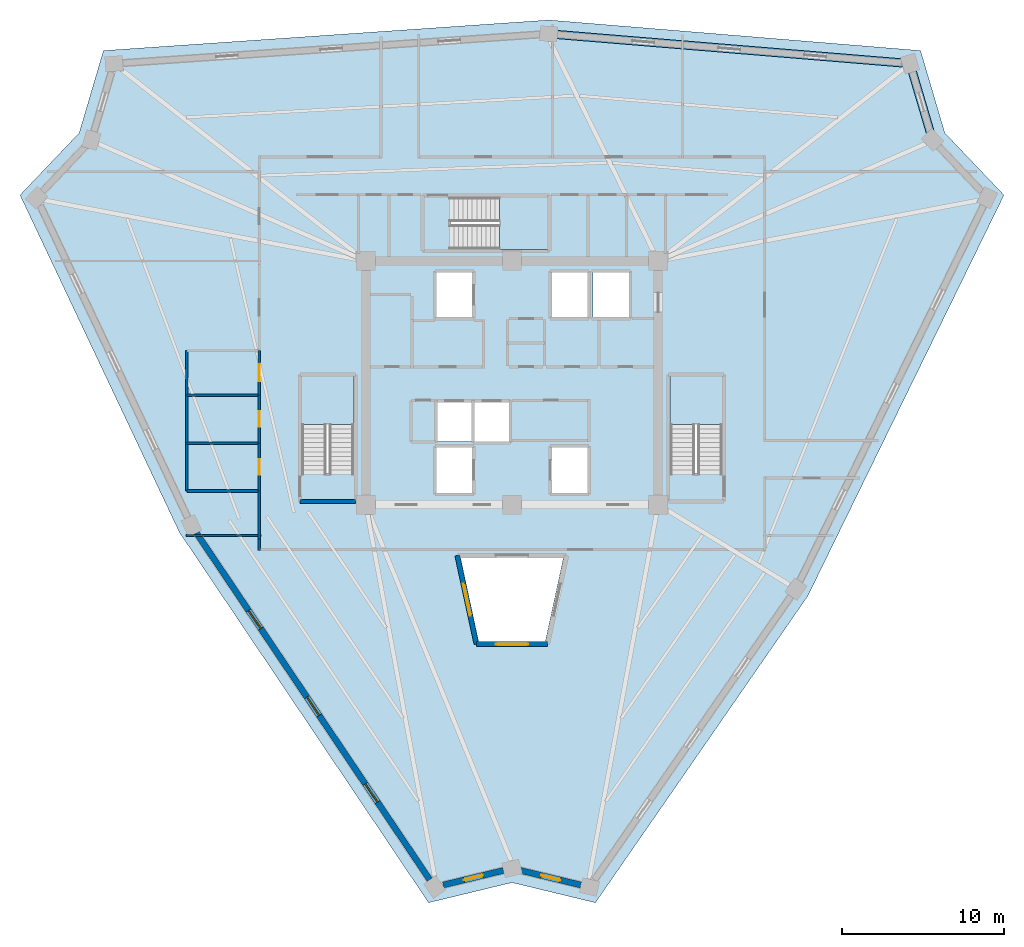
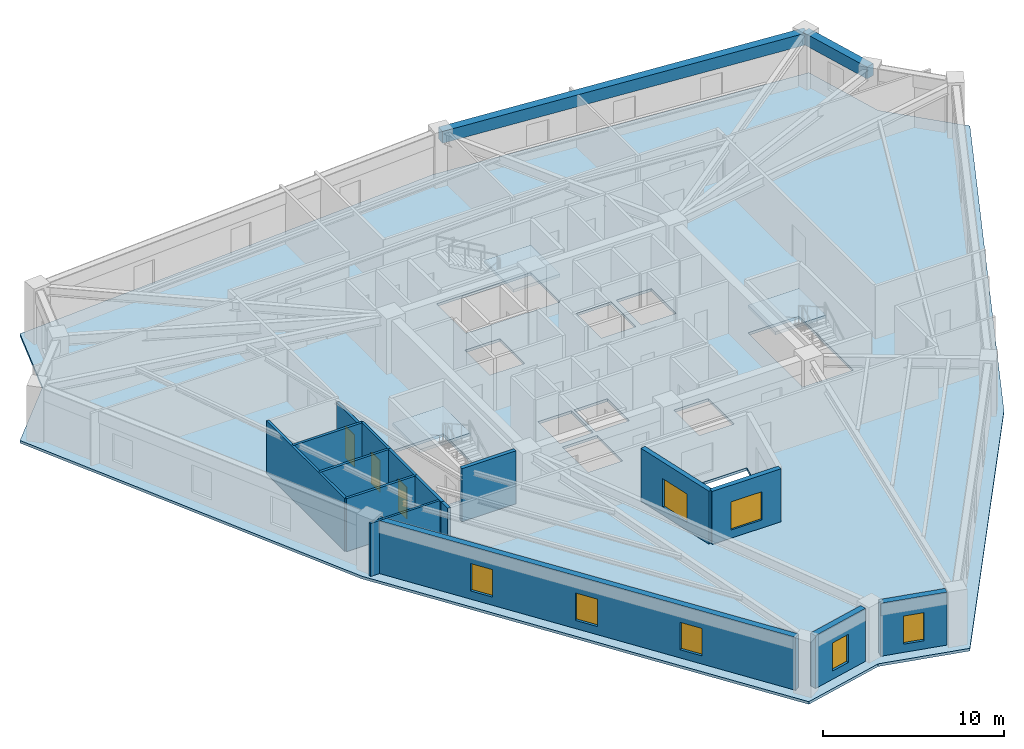
# One storey, part 2 of 8: 16 walls, 7 windows, 4 slabs, 3 doors, 2 beams, 10 openings, 3 elements without a shape of their own.
"""IFC4 building model written with IfcOpenShell, lengths in metres."""

from ifc_helpers import new_model, si_unit, direction, frame, frame_2d, origin, origin_2d, place, context, subcontext, project, spatial, polyline, rectangle, outline, extrude, source, transform, mapped, material, layer, layer_set, material_profile, profile_set, type_object, element, fill, aggregate, save


model = new_model("IFC4")

# Units and contexts
model_context = context("Model", 3, precision=1e-05, world=origin(), true_north=direction((0.0, 1.0)))
body_context = subcontext(model_context, "Body", "Model", "MODEL_VIEW")
ifc_project = project(units=[si_unit("LENGTHUNIT", "METRE"), si_unit("AREAUNIT", "SQUARE_METRE"), si_unit("VOLUMEUNIT", "CUBIC_METRE"), si_unit("PLANEANGLEUNIT", "RADIAN"), si_unit("MASSUNIT", "GRAM", prefix="KILO")], contexts=[model_context])

# Site, building, storey
site_placement = place(None, origin())
site = spatial("IfcSite", under=ifc_project, at=site_placement, CompositionType="ELEMENT")
building_placement = place(site_placement, origin())
building = spatial("IfcBuilding", under=site, at=building_placement, Name="Liaohun Quay Tower", CompositionType="ELEMENT")
storey_placement = place(building_placement, frame((0.0, 0.0, 336.0)))
storey = spatial("IfcBuildingStorey", under=building, at=storey_placement, Name="L87", CompositionType="ELEMENT", Elevation=336.0)

# Beams
ifc_material_1 = material(Name="Precast concrete C50", Category="concrete")
ifc_material_profile = material_profile(ifc_material_1, rectangle(XDim=0.5, YDim=0.800048828125, at=origin_2d()), Name="RC500x800")
ifc_profile_set = profile_set([ifc_material_profile], Name="Precast concrete C50")
beam_type = type_object("IfcBeamType", Name="BM-SPD-Z4", PredefinedType="SPANDREL", material=ifc_profile_set)
shared_shape_1 = source(origin(), body_context, "Body", "SweptSolid", [
    extrude(rectangle(XDim=0.5, YDim=0.800048828125, at=origin_2d()), origin(), (0.0, 0.0, 1.0), 22.320068359375),
])
beam_1_placement = place(storey_placement, frame((62.258056640625, 75.485107421875, 3.169921875), z_axis=(0.996632933955, -0.081992651846, 0.0), x_axis=(0.081992651846, 0.996632933955, 0.0)))
element("IfcBeam", 1, at=beam_1_placement, inside=storey, type_object=beam_type, Name="L87 Precast Spandrel Beam PC06-PC07", PredefinedType="SPANDREL", context=body_context, shape_type="MappedRepresentation", body=[
    mapped(shared_shape_1, transform((0.0, 0.0, 0.0), x_axis=(1.0, 0.0, 0.0), y_axis=(0.0, 1.0, 0.0), z_axis=(0.0, 0.0, 1.0), scale=1.0)),
])
shared_shape_2 = source(origin(), body_context, "Body", "SweptSolid", [
    extrude(rectangle(XDim=0.5, YDim=0.800048828125, at=origin_2d()), origin(), (0.0, 0.0, 1.0), 4.907470703125),
])
beam_2_placement = place(storey_placement, frame((84.5029296875, 73.655029296875, 3.169921875), z_axis=(0.282871920736, -0.959157691133, 0.0), x_axis=(0.959157691133, 0.282871920736, 0.0)))
element("IfcBeam", 2, at=beam_2_placement, inside=storey, type_object=beam_type, Name="L87 Precast Spandrel Beam PC07-PC08", PredefinedType="SPANDREL", context=body_context, shape_type="MappedRepresentation", body=[
    mapped(shared_shape_2, transform((0.0, 0.0, 0.0), x_axis=(1.0, 0.0, 0.0), y_axis=(0.0, 1.0, 0.0), z_axis=(0.0, 0.0, 1.0), scale=1.0)),
])

# Stair, slab
ifc_material_2 = material(Name="Concrete C45", Category="concrete")
stair_type = type_object("IfcStairType", Name="STR-CORE-OFF", PredefinedType="HALF_TURN_STAIR", material=ifc_material_2)
stair_1_placement = place(storey_placement, origin())
stair_1 = element("IfcStair", 3, at=stair_1_placement, inside=storey, type_object=stair_type, Name="L87 Smokeproof Core Exit Stair ST-1", PredefinedType="HALF_TURN_STAIR")
ifc_layer_1 = layer(ifc_material_2, 0.199951171875, Name="Concrete C45", Category="concrete")
ifc_layer_set_1 = layer_set([ifc_layer_1], Name="Concrete C45")
slab_type_1 = type_object("IfcSlabType", Name="SLB-LND-200", PredefinedType="LANDING", material=ifc_layer_set_1)
slab_1_placement = place(storey_placement, frame((0.0, 0.0, 1.675048828125)))
slab_1 = element("IfcSlab", 4, at=slab_1_placement, type_object=slab_type_1, Name="ST-1 landing 1", PredefinedType="LANDING", context=body_context, shape_type="SweptSolid", body=[
    extrude(outline(polyline([(50.280029296875, 51.429931640625), (50.280029296875, 54.419921875), (47.0400390625, 54.419921875), (47.0400390625, 51.429931640625), (50.280029296875, 51.429931640625)])), origin(), (0.0, 0.0, 1.0), 0.199951171875),
])
aggregate(stair_1, [slab_1])

stair_2_placement = place(storey_placement, origin())
stair_2 = element("IfcStair", 5, at=stair_2_placement, inside=storey, type_object=stair_type, Name="L87 Smokeproof Core Exit Stair ST-2", PredefinedType="HALF_TURN_STAIR")
slab_2_placement = place(storey_placement, frame((0.0, 0.0, 1.675048828125)))
slab_2 = element("IfcSlab", 6, at=slab_2_placement, type_object=slab_type_1, Name="ST-2 landing 1", PredefinedType="LANDING", context=body_context, shape_type="SweptSolid", body=[
    extrude(outline(polyline([(72.9599609375, 51.429931640625), (72.9599609375, 54.419921875), (69.719970703125, 54.419921875), (69.719970703125, 51.429931640625), (72.9599609375, 51.429931640625)])), origin(), (0.0, 0.0, 1.0), 0.199951171875),
])
aggregate(stair_2, [slab_2])

stair_3_placement = place(storey_placement, origin())
stair_3 = element("IfcStair", 7, at=stair_3_placement, inside=storey, type_object=stair_type, Name="L87 Smokeproof Core Exit Stair ST-3", PredefinedType="HALF_TURN_STAIR")
slab_3_placement = place(storey_placement, frame((0.0, 0.0, 1.675048828125)))
slab_3 = element("IfcSlab", 8, at=slab_3_placement, type_object=slab_type_1, Name="ST-3 landing 1", PredefinedType="LANDING", context=body_context, shape_type="SweptSolid", body=[
    extrude(outline(polyline([(59.22998046875, 62.199951171875), (62.219970703125, 62.199951171875), (62.219970703125, 65.43994140625), (59.22998046875, 65.43994140625), (59.22998046875, 62.199951171875)])), origin(), (0.0, 0.0, 1.0), 0.199951171875),
])
aggregate(stair_3, [slab_3])

# Slab
ifc_layer_2 = layer(ifc_material_2, 0.179931640625, Name="Concrete C45", Category="concrete")
ifc_layer_set_2 = layer_set([ifc_layer_2], Name="Concrete C45")
slab_type_2 = type_object("IfcSlabType", Name="SLB-OFF-180", PredefinedType="FLOOR", material=ifc_layer_set_2)
slab_4_placement = place(storey_placement, frame((0.0, 0.0, -0.179931640625)))
element("IfcSlab", 9, at=slab_4_placement, inside=storey, type_object=slab_type_2, Name="L87 Structural Floor Slab", PredefinedType="FLOOR", context=body_context, shape_type="SweptSolid", body=[
    extrude(outline(polyline([(54.863037109375, 21.989013671875), (60.0, 23.22998046875), (65.136962890625, 21.989013671875), (78.2119140625, 40.87109375), (90.291015625, 65.556884765625), (86.64794921875, 69.385009765625), (85.154052734375, 74.4541015625), (62.263916015625, 76.3369140625), (34.845947265625, 74.4541015625), (33.35205078125, 69.385009765625), (29.708984375, 65.556884765625), (39.52392578125, 44.7919921875), (54.863037109375, 21.989013671875)]), holes=[polyline([(57.56005859375, 50.030029296875), (55.340087890625, 50.030029296875), (55.340087890625, 47.2099609375), (57.56005859375, 47.2099609375), (57.56005859375, 50.030029296875)]), polyline([(47.0400390625, 54.419921875), (47.0400390625, 48.409912109375), (50.280029296875, 48.409912109375), (50.280029296875, 54.419921875), (47.0400390625, 54.419921875)]), polyline([(57.510009765625, 52.81005859375), (55.389892578125, 52.81005859375), (55.389892578125, 50.389892578125), (57.510009765625, 50.389892578125), (57.510009765625, 52.81005859375)]), polyline([(59.81005859375, 50.389892578125), (59.81005859375, 52.81005859375), (57.68994140625, 52.81005859375), (57.68994140625, 50.389892578125), (59.81005859375, 50.389892578125)]), polyline([(57.56005859375, 58.0400390625), (57.56005859375, 60.7900390625), (55.340087890625, 60.7900390625), (55.340087890625, 58.0400390625), (57.56005859375, 58.0400390625)]), polyline([(62.219970703125, 65.43994140625), (56.2099609375, 65.43994140625), (56.2099609375, 62.199951171875), (62.219970703125, 62.199951171875), (62.219970703125, 65.43994140625)]), polyline([(62.052978515625, 38.0859375), (63.157958984375, 43.199951171875), (56.842041015625, 43.199951171875), (57.947021484375, 38.0859375), (62.052978515625, 38.0859375)]), polyline([(64.659912109375, 47.2099609375), (64.659912109375, 50.030029296875), (62.43994140625, 50.030029296875), (62.43994140625, 47.2099609375), (64.659912109375, 47.2099609375)]), polyline([(69.719970703125, 54.419921875), (69.719970703125, 48.409912109375), (72.9599609375, 48.409912109375), (72.9599609375, 54.419921875), (69.719970703125, 54.419921875)]), polyline([(64.659912109375, 58.0400390625), (64.659912109375, 60.7900390625), (62.43994140625, 60.7900390625), (62.43994140625, 58.0400390625), (64.659912109375, 58.0400390625)]), polyline([(67.2099609375, 58.0400390625), (67.2099609375, 60.7900390625), (64.989990234375, 60.7900390625), (64.989990234375, 58.0400390625), (67.2099609375, 58.0400390625)])]), origin(), (0.0, 0.0, 1.0), 0.179931640625),
])

# Wall, opening, window
ifc_material_3 = material(Name="Concrete C50", Category="concrete")
ifc_layer_3 = layer(ifc_material_3, 0.300048828125, Name="Concrete C50", Category="concrete")
ifc_layer_set_3 = layer_set([ifc_layer_3], Name="Concrete C50")
wall_type_1 = type_object("IfcWallType", Name="WAL-ATR-300", PredefinedType="SOLIDWALL", material=ifc_layer_set_3)
wall_1_placement = place(storey_placement, frame((57.81005859375, 37.916015625, 0.0), z_axis=(0.0, 0.0, 1.0), x_axis=(-0.211279697176, 0.977425644006, 0.0)))
wall_1 = element("IfcWall", 10, at=wall_1_placement, inside=storey, type_object=wall_type_1, Name="L87 Atrium Fire Compartment Wall 1", PredefinedType="SOLIDWALL", context=body_context, shape_type="SweptSolid", body=[
    extrude(rectangle(XDim=5.580078125, YDim=0.300048828125, at=frame_2d((2.7900390625, 0.0))), origin(), (0.0, 0.0, 1.0), 3.570068359375),
])
shared_shape_3 = source(origin(), body_context, "Body", "SweptSolid", [
    extrude(rectangle(XDim=2.0, YDim=1.89990234375, at=frame_2d((1.0, 0.949951171875))), frame((0.0, 0.159912109375, 0.0), z_axis=(0.0, -1.0, 0.0), x_axis=(1.0, 0.0, 0.0)), (0.0, 0.0, 1.0), 0.320068359375),
])
opening_1_placement = place(wall_1_placement, frame((1.7900390625, 0.0, 0.550048828125)))
opening_1 = element("IfcOpeningElement", 11, at=opening_1_placement, cuts=wall_1, Name="Opening W07", PredefinedType="OPENING", context=body_context, shape_type="MappedRepresentation", body=[
    mapped(shared_shape_3, transform((0.0, 0.0, 0.0), x_axis=(1.0, 0.0, 0.0), y_axis=(0.0, 1.0, 0.0), z_axis=(0.0, 0.0, 1.0), scale=1.0)),
])
ifc_material_4 = material(Name="Class A 180-min fire-resistant insulated glazing", Category="glass")
window_type_1 = type_object("IfcWindowType", Name="WIN-ATR-FIR", PartitioningType="DOUBLE_PANEL_VERTICAL", PredefinedType="WINDOW", material=ifc_material_4)
shared_shape_4 = source(origin(), body_context, "Body", "SweptSolid", [
    extrude(rectangle(XDim=2.0, YDim=1.89990234375, at=frame_2d((1.0, 0.949951171875))), frame((0.0, 0.030029296875, 0.0), z_axis=(0.0, -1.0, 0.0), x_axis=(1.0, 0.0, 0.0)), (0.0, 0.0, 1.0), 0.06005859375),
])
window_1_placement = place(opening_1_placement, origin())
window_1 = element("IfcWindow", 12, at=window_1_placement, inside=storey, type_object=window_type_1, Name="L87 Atrium Fire-Resistant Glazing W07-1", OverallHeight=1.89990234375, OverallWidth=2.0, PartitioningType="DOUBLE_PANEL_VERTICAL", PredefinedType="WINDOW", context=body_context, shape_type="MappedRepresentation", body=[
    mapped(shared_shape_4, transform((0.0, 0.0, 0.0), x_axis=(1.0, 0.0, 0.0), y_axis=(0.0, 1.0, 0.0), z_axis=(0.0, 0.0, 1.0), scale=1.0)),
])
fill(opening_1, window_1)

wall_2_placement = place(storey_placement, frame((62.18994140625, 37.916015625, 0.0), z_axis=(0.0, 0.0, 1.0), x_axis=(-1.0, 0.0, 0.0)))
wall_2 = element("IfcWall", 13, at=wall_2_placement, inside=storey, type_object=wall_type_1, Name="L87 Atrium Fire Compartment Wall 4", PredefinedType="SOLIDWALL", context=body_context, shape_type="SweptSolid", body=[
    extrude(rectangle(XDim=4.3798828125, YDim=0.300048828125, at=frame_2d((2.18994140625, 0.0))), origin(), (0.0, 0.0, 1.0), 3.570068359375),
])
opening_2_placement = place(wall_2_placement, frame((1.18994140625, 0.0, 0.550048828125)))
opening_2 = element("IfcOpeningElement", 14, at=opening_2_placement, cuts=wall_2, Name="Opening W07", PredefinedType="OPENING", context=body_context, shape_type="MappedRepresentation", body=[
    mapped(shared_shape_3, transform((0.0, 0.0, 0.0), x_axis=(1.0, 0.0, 0.0), y_axis=(0.0, 1.0, 0.0), z_axis=(0.0, 0.0, 1.0), scale=1.0)),
])
window_2_placement = place(opening_2_placement, origin())
window_2 = element("IfcWindow", 15, at=window_2_placement, inside=storey, type_object=window_type_1, Name="L87 Atrium Fire-Resistant Glazing W07-4", OverallHeight=1.89990234375, OverallWidth=2.0, PartitioningType="DOUBLE_PANEL_VERTICAL", PredefinedType="WINDOW", context=body_context, shape_type="MappedRepresentation", body=[
    mapped(shared_shape_4, transform((0.0, 0.0, 0.0), x_axis=(1.0, 0.0, 0.0), y_axis=(0.0, 1.0, 0.0), z_axis=(0.0, 0.0, 1.0), scale=1.0)),
])
fill(opening_2, window_2)

ifc_material_5 = material(Name="Precast concrete C50 insulated sandwich", Category="concrete")
ifc_layer_4 = layer(ifc_material_5, 0.3798828125, Name="Precast concrete C50 insulated sandwich", Category="concrete")
ifc_layer_set_4 = layer_set([ifc_layer_4], Name="Precast concrete C50 insulated sandwich")
wall_type_2 = type_object("IfcWallType", Name="WAL-EXT-Z34", PredefinedType="SOLIDWALL", material=ifc_layer_set_4)
wall_3_placement = place(storey_placement, frame((60.52490234375, 23.97705078125, 0.0), z_axis=(0.0, 0.0, 1.0), x_axis=(0.972084215522, -0.234632218447, 0.0)))
wall_3 = element("IfcWall", 16, at=wall_3_placement, inside=storey, type_object=wall_type_2, Name="L87 Brutalist Precast Pier Wall 01", PredefinedType="SOLIDWALL", context=body_context, shape_type="SweptSolid", body=[
    extrude(rectangle(XDim=3.8271484375, YDim=0.3798828125, at=frame_2d((1.91357421875, 0.0))), origin(), (0.0, 0.0, 1.0), 3.570068359375),
])
shared_shape_5 = source(origin(), body_context, "Body", "SweptSolid", [
    extrude(rectangle(XDim=1.199951171875, YDim=1.89990234375, at=frame_2d((0.60009765625, 0.949951171875))), frame((0.0, 0.199951171875, 0.0), z_axis=(0.0, -1.0, 0.0), x_axis=(1.0, 0.0, 0.0)), (0.0, 0.0, 1.0), 0.39990234375),
])
opening_3_placement = place(wall_3_placement, frame((1.31298828125, 0.0, 0.550048828125)))
opening_3 = element("IfcOpeningElement", 17, at=opening_3_placement, cuts=wall_3, Name="Opening W05", PredefinedType="OPENING", context=body_context, shape_type="MappedRepresentation", body=[
    mapped(shared_shape_5, transform((0.0, 0.0, 0.0), x_axis=(1.0, 0.0, 0.0), y_axis=(0.0, 1.0, 0.0), z_axis=(0.0, 0.0, 1.0), scale=1.0)),
])
ifc_material_6 = material(Name="Triple Low-E corner notch glazing", Category="glass")
window_type_2 = type_object("IfcWindowType", Name="WIN-NOTCH", PartitioningType="SINGLE_PANEL", PredefinedType="WINDOW", material=ifc_material_6)
shared_shape_6 = source(origin(), body_context, "Body", "SweptSolid", [
    extrude(rectangle(XDim=1.199951171875, YDim=1.89990234375, at=frame_2d((0.60009765625, 0.949951171875))), frame((0.0, 0.030029296875, 0.0), z_axis=(0.0, -1.0, 0.0), x_axis=(1.0, 0.0, 0.0)), (0.0, 0.0, 1.0), 0.06005859375),
])
window_3_placement = place(opening_3_placement, origin())
window_3 = element("IfcWindow", 18, at=window_3_placement, inside=storey, type_object=window_type_2, Name="L87 Corner Notch Window W05-01", OverallHeight=1.89990234375, OverallWidth=1.199951171875, PartitioningType="SINGLE_PANEL", PredefinedType="WINDOW", context=body_context, shape_type="MappedRepresentation", body=[
    mapped(shared_shape_6, transform((0.0, 0.0, 0.0), x_axis=(1.0, 0.0, 0.0), y_axis=(0.0, 1.0, 0.0), z_axis=(0.0, 0.0, 1.0), scale=1.0)),
])
fill(opening_3, window_3)

# Wall, openings, windows
wall_4_placement = place(storey_placement, frame((40.56591796875, 44.764892578125, 0.0), z_axis=(0.0, 0.0, 1.0), x_axis=(0.558170282959, -0.829726421913, 0.0)))
wall_4 = element("IfcWall", 19, at=wall_4_placement, inside=storey, type_object=wall_type_2, Name="L87 Brutalist Precast Pier Wall 11", PredefinedType="SOLIDWALL", context=body_context, shape_type="SweptSolid", body=[
    extrude(rectangle(XDim=25.746826171875, YDim=0.3798828125, at=frame_2d((12.87353515625, 0.0))), origin(), (0.0, 0.0, 1.0), 3.570068359375),
])
shared_shape_7 = source(origin(), body_context, "Body", "SweptSolid", [
    extrude(rectangle(XDim=1.35009765625, YDim=1.85009765625, at=frame_2d((0.675048828125, 0.925048828125))), frame((0.0, 0.199951171875, 0.0), z_axis=(0.0, -1.0, 0.0), x_axis=(1.0, 0.0, 0.0)), (0.0, 0.0, 1.0), 0.39990234375),
])
opening_4_placement = place(wall_4_placement, frame((5.761962890625, 0.0, 0.550048828125)))
opening_4 = element("IfcOpeningElement", 20, at=opening_4_placement, cuts=wall_4, Name="Opening W04", PredefinedType="OPENING", context=body_context, shape_type="MappedRepresentation", body=[
    mapped(shared_shape_7, transform((0.0, 0.0, 0.0), x_axis=(1.0, 0.0, 0.0), y_axis=(0.0, 1.0, 0.0), z_axis=(0.0, 0.0, 1.0), scale=1.0)),
])
opening_5_placement = place(wall_4_placement, frame((12.197998046875, 0.0, 0.550048828125)))
opening_5 = element("IfcOpeningElement", 21, at=opening_5_placement, cuts=wall_4, Name="Opening W04", PredefinedType="OPENING", context=body_context, shape_type="MappedRepresentation", body=[
    mapped(shared_shape_7, transform((0.0, 0.0, 0.0), x_axis=(1.0, 0.0, 0.0), y_axis=(0.0, 1.0, 0.0), z_axis=(0.0, 0.0, 1.0), scale=1.0)),
])
opening_6_placement = place(wall_4_placement, frame((18.635009765625, 0.0, 0.550048828125)))
opening_6 = element("IfcOpeningElement", 22, at=opening_6_placement, cuts=wall_4, Name="Opening W04", PredefinedType="OPENING", context=body_context, shape_type="MappedRepresentation", body=[
    mapped(shared_shape_7, transform((0.0, 0.0, 0.0), x_axis=(1.0, 0.0, 0.0), y_axis=(0.0, 1.0, 0.0), z_axis=(0.0, 0.0, 1.0), scale=1.0)),
])
ifc_material_7 = material(Name="Triple Low-E argon glazing in thermally broken aluminium", Category="aluminium")
window_type_3 = type_object("IfcWindowType", Name="WIN-PUN-Z4", PartitioningType="SINGLE_PANEL", PredefinedType="WINDOW", material=ifc_material_7)
shared_shape_8 = source(origin(), body_context, "Body", "SweptSolid", [
    extrude(rectangle(XDim=1.35009765625, YDim=1.85009765625, at=frame_2d((0.675048828125, 0.925048828125))), frame((0.0, 0.030029296875, 0.0), z_axis=(0.0, -1.0, 0.0), x_axis=(1.0, 0.0, 0.0)), (0.0, 0.0, 1.0), 0.06005859375),
])
window_4_placement = place(opening_4_placement, origin())
window_4 = element("IfcWindow", 23, at=window_4_placement, inside=storey, type_object=window_type_3, Name="L87 Recessed Cold-Climate Punched Window 11-1", OverallHeight=1.85009765625, OverallWidth=1.35009765625, PartitioningType="SINGLE_PANEL", PredefinedType="WINDOW", context=body_context, shape_type="MappedRepresentation", body=[
    mapped(shared_shape_8, transform((0.0, 0.0, 0.0), x_axis=(1.0, 0.0, 0.0), y_axis=(0.0, 1.0, 0.0), z_axis=(0.0, 0.0, 1.0), scale=1.0)),
])
fill(opening_4, window_4)
window_5_placement = place(opening_5_placement, origin())
window_5 = element("IfcWindow", 24, at=window_5_placement, inside=storey, type_object=window_type_3, Name="L87 Recessed Cold-Climate Punched Window 11-2", OverallHeight=1.85009765625, OverallWidth=1.35009765625, PartitioningType="SINGLE_PANEL", PredefinedType="WINDOW", context=body_context, shape_type="MappedRepresentation", body=[
    mapped(shared_shape_8, transform((0.0, 0.0, 0.0), x_axis=(1.0, 0.0, 0.0), y_axis=(0.0, 1.0, 0.0), z_axis=(0.0, 0.0, 1.0), scale=1.0)),
])
fill(opening_5, window_5)
window_6_placement = place(opening_6_placement, origin())
window_6 = element("IfcWindow", 25, at=window_6_placement, inside=storey, type_object=window_type_3, Name="L87 Recessed Cold-Climate Punched Window 11-3", OverallHeight=1.85009765625, OverallWidth=1.35009765625, PartitioningType="SINGLE_PANEL", PredefinedType="WINDOW", context=body_context, shape_type="MappedRepresentation", body=[
    mapped(shared_shape_8, transform((0.0, 0.0, 0.0), x_axis=(1.0, 0.0, 0.0), y_axis=(0.0, 1.0, 0.0), z_axis=(0.0, 0.0, 1.0), scale=1.0)),
])
fill(opening_6, window_6)

# Wall, opening, window
wall_5_placement = place(storey_placement, frame((55.762939453125, 23.0810546875, 0.0), z_axis=(0.0, 0.0, 1.0), x_axis=(0.972084722694, 0.234630117217, 0.0)))
wall_5 = element("IfcWall", 26, at=wall_5_placement, inside=storey, type_object=wall_type_2, Name="L87 Brutalist Precast Pier Wall 12", PredefinedType="SOLIDWALL", context=body_context, shape_type="SweptSolid", body=[
    extrude(rectangle(XDim=3.81884765625, YDim=0.3798828125, at=frame_2d((1.909423828125, 0.0))), origin(), (0.0, 0.0, 1.0), 3.570068359375),
])
opening_7_placement = place(wall_5_placement, frame((1.30908203125, 0.0, 0.550048828125)))
opening_7 = element("IfcOpeningElement", 27, at=opening_7_placement, cuts=wall_5, Name="Opening W05", PredefinedType="OPENING", context=body_context, shape_type="MappedRepresentation", body=[
    mapped(shared_shape_5, transform((0.0, 0.0, 0.0), x_axis=(1.0, 0.0, 0.0), y_axis=(0.0, 1.0, 0.0), z_axis=(0.0, 0.0, 1.0), scale=1.0)),
])
window_7_placement = place(opening_7_placement, origin())
window_7 = element("IfcWindow", 28, at=window_7_placement, inside=storey, type_object=window_type_2, Name="L87 Corner Notch Window W05-12", OverallHeight=1.89990234375, OverallWidth=1.199951171875, PartitioningType="SINGLE_PANEL", PredefinedType="WINDOW", context=body_context, shape_type="MappedRepresentation", body=[
    mapped(shared_shape_6, transform((0.0, 0.0, 0.0), x_axis=(1.0, 0.0, 0.0), y_axis=(0.0, 1.0, 0.0), z_axis=(0.0, 0.0, 1.0), scale=1.0)),
])
fill(opening_7, window_7)

# Walls
ifc_material_8 = material(Name="Autoclaved aerated concrete blockwork", Category="masonry")
ifc_layer_5 = layer(ifc_material_8, 0.179931640625, Name="Autoclaved aerated concrete blockwork", Category="masonry")
ifc_layer_set_5 = layer_set([ifc_layer_5], Name="Autoclaved aerated concrete blockwork")
wall_type_3 = type_object("IfcWallType", Name="WAL-PRT-COR", PredefinedType="PARTITIONING", material=ifc_layer_set_5)
wall_6_placement = place(storey_placement, frame((44.43994140625, 44.385009765625, 0.0), z_axis=(0.0, 0.0, 1.0), x_axis=(0.0, 1.0, 0.0)))
element("IfcWall", 29, at=wall_6_placement, inside=storey, type_object=wall_type_3, Name="L87 Interior Partition Wall 050", PredefinedType="PARTITIONING", context=body_context, shape_type="SweptSolid", body=[
    extrude(rectangle(XDim=2.955078125, YDim=0.179931640625, at=frame_2d((1.4775390625, 0.0))), origin(), (0.0, 0.0, 1.0), 3.570068359375),
])
wall_7_placement = place(storey_placement, frame((44.43994140625, 43.669921875, 0.0), z_axis=(0.0, 0.0, 1.0), x_axis=(0.0, 1.0, 0.0)))
element("IfcWall", 30, at=wall_7_placement, inside=storey, type_object=wall_type_3, Name="L87 Interior Partition Wall 051", PredefinedType="PARTITIONING", context=body_context, shape_type="SweptSolid", body=[
    extrude(rectangle(XDim=0.715087890625, YDim=0.179931640625, at=frame_2d((0.357421875, 0.0))), origin(), (0.0, 0.0, 1.0), 3.570068359375),
])
ifc_material_9 = material(Name="Gypsum board on twin steel studs", Category="steel")
ifc_layer_6 = layer(ifc_material_9, 0.139892578125, Name="Gypsum board on twin steel studs", Category="steel")
ifc_layer_set_6 = layer_set([ifc_layer_6], Name="Gypsum board on twin steel studs")
wall_type_4 = type_object("IfcWallType", Name="WAL-PRT-OFF", PredefinedType="PARTITIONING", material=ifc_layer_set_6)
wall_8_placement = place(storey_placement, frame((44.5400390625, 44.60009765625, 0.0), z_axis=(0.0, 0.0, 1.0), x_axis=(-1.0, 0.0, 0.0)))
element("IfcWall", 31, at=wall_8_placement, inside=storey, type_object=wall_type_4, Name="L87 Interior Partition Wall 054", PredefinedType="PARTITIONING", context=body_context, shape_type="SweptSolid", body=[
    extrude(rectangle(XDim=4.6220703125, YDim=0.139892578125, at=frame_2d((2.31103515625, 0.0))), origin(), (0.0, 0.0, 1.0), 3.570068359375),
])

# Wall, opening, door
ifc_material_10 = material(Name="Moisture-resistant masonry blockwork", Category="masonry")
ifc_layer_7 = layer(ifc_material_10, 0.159912109375, Name="Moisture-resistant masonry blockwork", Category="masonry")
ifc_layer_set_7 = layer_set([ifc_layer_7], Name="Moisture-resistant masonry blockwork")
wall_type_5 = type_object("IfcWallType", Name="WAL-PRT-WET", PredefinedType="PARTITIONING", material=ifc_layer_set_7)
wall_9_placement = place(storey_placement, frame((44.43994140625, 47.340087890625, 0.0), z_axis=(0.0, 0.0, 1.0), x_axis=(0.0, 1.0, 0.0)))
wall_9 = element("IfcWall", 32, at=wall_9_placement, inside=storey, type_object=wall_type_5, Name="L87 Interior Partition Wall 009", PredefinedType="PARTITIONING", context=body_context, shape_type="SweptSolid", body=[
    extrude(rectangle(XDim=2.93994140625, YDim=0.159912109375, at=frame_2d((1.469970703125, 0.0))), origin(), (0.0, 0.0, 1.0), 3.570068359375),
])
shared_shape_9 = source(origin(), body_context, "Body", "SweptSolid", [
    extrude(rectangle(XDim=0.949951171875, YDim=2.14990234375, at=frame_2d((0.47509765625, 1.074951171875))), frame((0.0, 0.08984375, 0.0), z_axis=(0.0, -1.0, 0.0), x_axis=(1.0, 0.0, 0.0)), (0.0, 0.0, 1.0), 0.179931640625),
])
opening_8_placement = place(wall_9_placement, frame((0.9951171875, 0.0, 0.0)))
opening_8 = element("IfcOpeningElement", 33, at=opening_8_placement, cuts=wall_9, Name="Opening WD1", PredefinedType="OPENING", context=body_context, shape_type="MappedRepresentation", body=[
    mapped(shared_shape_9, transform((0.0, 0.0, 0.0), x_axis=(1.0, 0.0, 0.0), y_axis=(0.0, 1.0, 0.0), z_axis=(0.0, 0.0, 1.0), scale=1.0)),
])
ifc_material_11 = material(Name="Moisture-resistant laminate timber leaf", Category="wood")
door_type_1 = type_object("IfcDoorType", Name="DOR-WC-950", OperationType="NOTDEFINED", PredefinedType="DOOR", material=ifc_material_11)
shared_shape_10 = source(origin(), body_context, "Body", "SweptSolid", [
    extrude(rectangle(XDim=0.949951171875, YDim=2.14990234375, at=frame_2d((0.47509765625, 1.074951171875))), frame((0.0, 0.02490234375, 0.0), z_axis=(0.0, -1.0, 0.0), x_axis=(1.0, 0.0, 0.0)), (0.0, 0.0, 1.0), 0.050048828125),
])
door_1_placement = place(opening_8_placement, origin())
door_1 = element("IfcDoor", 34, at=door_1_placement, inside=storey, type_object=door_type_1, Name="L87 Male Restroom WC Door", OperationType="SINGLE_SWING_LEFT", OverallHeight=2.14990234375, OverallWidth=0.949951171875, PredefinedType="DOOR", context=body_context, shape_type="MappedRepresentation", body=[
    mapped(shared_shape_10, transform((0.0, 0.0, 0.0), x_axis=(1.0, 0.0, 0.0), y_axis=(0.0, 1.0, 0.0), z_axis=(0.0, 0.0, 1.0), scale=1.0)),
])
fill(opening_8, door_1)

wall_10_placement = place(storey_placement, frame((44.43994140625, 50.280029296875, 0.0), z_axis=(0.0, 0.0, 1.0), x_axis=(0.0, 1.0, 0.0)))
wall_10 = element("IfcWall", 35, at=wall_10_placement, inside=storey, type_object=wall_type_5, Name="L87 Interior Partition Wall 010", PredefinedType="PARTITIONING", context=body_context, shape_type="SweptSolid", body=[
    extrude(rectangle(XDim=2.9599609375, YDim=0.159912109375, at=frame_2d((1.47998046875, 0.0))), origin(), (0.0, 0.0, 1.0), 3.570068359375),
])
opening_9_placement = place(wall_10_placement, frame((1.0048828125, 0.0, 0.0)))
opening_9 = element("IfcOpeningElement", 36, at=opening_9_placement, cuts=wall_10, Name="Opening WD1", PredefinedType="OPENING", context=body_context, shape_type="MappedRepresentation", body=[
    mapped(shared_shape_9, transform((0.0, 0.0, 0.0), x_axis=(1.0, 0.0, 0.0), y_axis=(0.0, 1.0, 0.0), z_axis=(0.0, 0.0, 1.0), scale=1.0)),
])
door_2_placement = place(opening_9_placement, origin())
door_2 = element("IfcDoor", 37, at=door_2_placement, inside=storey, type_object=door_type_1, Name="L87 Female Restroom WC Door", OperationType="SINGLE_SWING_RIGHT", OverallHeight=2.14990234375, OverallWidth=0.949951171875, PredefinedType="DOOR", context=body_context, shape_type="MappedRepresentation", body=[
    mapped(shared_shape_10, transform((0.0, 0.0, 0.0), x_axis=(1.0, 0.0, 0.0), y_axis=(0.0, 1.0, 0.0), z_axis=(0.0, 0.0, 1.0), scale=1.0)),
])
fill(opening_9, door_2)

wall_11_placement = place(storey_placement, frame((44.43994140625, 53.239990234375, 0.0), z_axis=(0.0, 0.0, 1.0), x_axis=(0.0, 1.0, 0.0)))
wall_11 = element("IfcWall", 38, at=wall_11_placement, inside=storey, type_object=wall_type_5, Name="L87 Interior Partition Wall 011", PredefinedType="PARTITIONING", context=body_context, shape_type="SweptSolid", body=[
    extrude(rectangle(XDim=2.739990234375, YDim=0.159912109375, at=frame_2d((1.3701171875, 0.0))), origin(), (0.0, 0.0, 1.0), 3.260986328125),
])
shared_shape_11 = source(origin(), body_context, "Body", "SweptSolid", [
    extrude(rectangle(XDim=1.050048828125, YDim=2.14990234375, at=frame_2d((0.52490234375, 1.074951171875))), frame((0.0, 0.08984375, 0.0), z_axis=(0.0, -1.0, 0.0), x_axis=(1.0, 0.0, 0.0)), (0.0, 0.0, 1.0), 0.179931640625),
])
opening_10_placement = place(wall_11_placement, frame((0.844970703125, 0.0, 0.0)))
opening_10 = element("IfcOpeningElement", 39, at=opening_10_placement, cuts=wall_11, Name="Opening WD2", PredefinedType="OPENING", context=body_context, shape_type="MappedRepresentation", body=[
    mapped(shared_shape_11, transform((0.0, 0.0, 0.0), x_axis=(1.0, 0.0, 0.0), y_axis=(0.0, 1.0, 0.0), z_axis=(0.0, 0.0, 1.0), scale=1.0)),
])
ifc_material_12 = material(Name="Accessible outward-swinging laminate door")
door_type_2 = type_object("IfcDoorType", Name="DOR-AWC-1050", OperationType="NOTDEFINED", PredefinedType="DOOR", material=ifc_material_12)
shared_shape_12 = source(origin(), body_context, "Body", "SweptSolid", [
    extrude(rectangle(XDim=1.050048828125, YDim=2.14990234375, at=frame_2d((0.52490234375, 1.074951171875))), frame((0.0, 0.02490234375, 0.0), z_axis=(0.0, -1.0, 0.0), x_axis=(1.0, 0.0, 0.0)), (0.0, 0.0, 1.0), 0.050048828125),
])
door_3_placement = place(opening_10_placement, origin())
door_3 = element("IfcDoor", 40, at=door_3_placement, inside=storey, type_object=door_type_2, Name="L87 Accessible WC Door", OperationType="SINGLE_SWING_LEFT", OverallHeight=2.14990234375, OverallWidth=1.050048828125, PredefinedType="DOOR", context=body_context, shape_type="MappedRepresentation", body=[
    mapped(shared_shape_12, transform((0.0, 0.0, 0.0), x_axis=(1.0, 0.0, 0.0), y_axis=(0.0, 1.0, 0.0), z_axis=(0.0, 0.0, 1.0), scale=1.0)),
])
fill(opening_10, door_3)

# Walls
wall_12_placement = place(storey_placement, frame((39.97998046875, 47.340087890625, 0.0), z_axis=(0.0, 0.0, 1.0), x_axis=(0.0, 1.0, 0.0)))
element("IfcWall", 41, at=wall_12_placement, inside=storey, type_object=wall_type_5, Name="L87 Interior Partition Wall 035", PredefinedType="PARTITIONING", context=body_context, shape_type="SweptSolid", body=[
    extrude(rectangle(XDim=8.639892578125, YDim=0.159912109375, at=frame_2d((4.31982421875, 0.0))), origin(), (0.0, 0.0, 1.0), 3.570068359375),
])
for number, where, z_axis, x_axis, name in (
    (42, (39.97998046875, 47.340087890625, 0.0), (0.0, 0.0, 1.0), (1.0, 0.0, 0.0), "L87 Interior Partition Wall 036"),
    (43, (39.97998046875, 50.280029296875, 0.0), (0.0, 0.0, 1.0), (1.0, 0.0, 0.0), "L87 Interior Partition Wall 037"),
    (44, (39.97998046875, 53.239990234375, 0.0), (0.0, 0.0, 1.0), (1.0, 0.0, 0.0), "L87 Interior Partition Wall 038"),
):
    element("IfcWall", number, at=place(storey_placement, frame(where, z_axis=z_axis, x_axis=x_axis)), inside=storey, type_object=wall_type_5, Name=name, PredefinedType="PARTITIONING", context=body_context, shape_type="SweptSolid", body=[
        extrude(rectangle(XDim=4.4599609375, YDim=0.159912109375, at=frame_2d((2.22998046875, 0.0))), origin(), (0.0, 0.0, 1.0), 3.570068359375),
    ])
ifc_layer_8 = layer(ifc_material_3, 0.239990234375, Name="Concrete C50", Category="concrete")
ifc_layer_set_8 = layer_set([ifc_layer_8], Name="Concrete C50")
wall_type_6 = type_object("IfcWallType", Name="WAL-SHF-200", PredefinedType="SOLIDWALL", material=ifc_layer_set_8)
wall_13_placement = place(storey_placement, frame((46.93994140625, 46.699951171875, 0.0), z_axis=(0.0, 0.0, 1.0), x_axis=(1.0, 0.0, 0.0)))
element("IfcWall", 45, at=wall_13_placement, inside=storey, type_object=wall_type_6, Name="L87 Stairwell ST-1 Structural Core Wall S", PredefinedType="SOLIDWALL", context=body_context, shape_type="SweptSolid", body=[
    extrude(rectangle(XDim=3.43994140625, YDim=0.239990234375, at=frame_2d((1.719970703125, 0.0))), origin(), (0.0, 0.0, 1.0), 3.570068359375),
])

save(model, "model.ifc")
